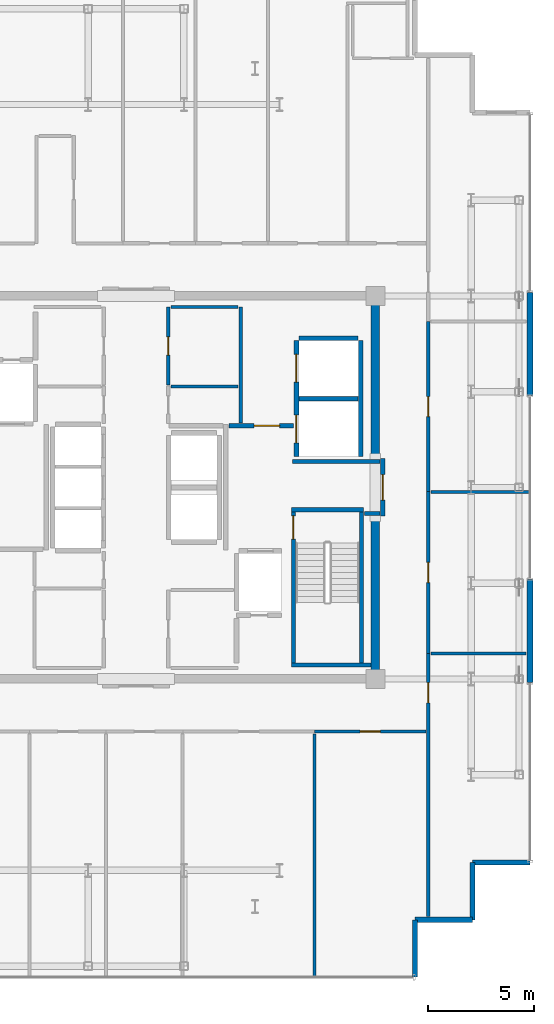
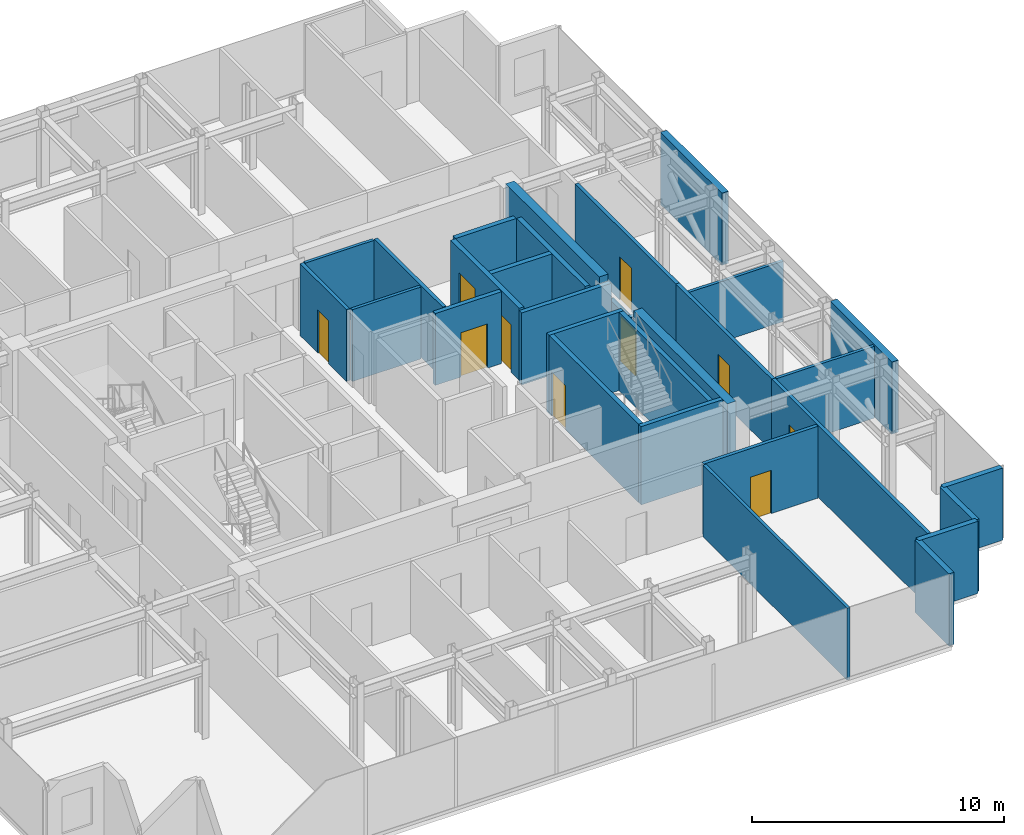
# One storey, part 13 of 16: 31 walls, 10 doors, 10 openings.
"""IFC4 building model written with IfcOpenShell, lengths in metres."""

from ifc_helpers import new_model, si_unit, direction, frame, frame_2d, origin, place, context, subcontext, project, spatial, rectangle, extrude, source, transform, mapped, material, layer, layer_set, type_object, element, fill, save


model = new_model("IFC4")

# Units and contexts
model_context = context("Model", 3, precision=1e-05, world=origin(), true_north=direction((0.0, 1.0)))
body_context = subcontext(model_context, "Body", "Model", "MODEL_VIEW")
ifc_project = project(units=[si_unit("LENGTHUNIT", "METRE"), si_unit("AREAUNIT", "SQUARE_METRE"), si_unit("VOLUMEUNIT", "CUBIC_METRE"), si_unit("PLANEANGLEUNIT", "RADIAN"), si_unit("MASSUNIT", "GRAM", prefix="KILO")], contexts=[model_context])

# Site, building, storey
site_placement = place(None, origin())
site = spatial("IfcSite", under=ifc_project, at=site_placement, CompositionType="ELEMENT")
building_placement = place(site_placement, origin())
building = spatial("IfcBuilding", under=site, at=building_placement, Name="Nefas-Gora Pilgrimage Tower", CompositionType="ELEMENT")
storey_placement = place(building_placement, frame((0.0, 0.0, 345.199951171875)))
storey = spatial("IfcBuildingStorey", under=building, at=storey_placement, Name="L87", CompositionType="ELEMENT", Elevation=345.199951171875)

# Walls
ifc_material_1 = material(Name="Concrete C50/60", Category="concrete")
ifc_layer_1 = layer(ifc_material_1, 0.39990234375)
ifc_layer_set_1 = layer_set([ifc_layer_1], Name="Concrete C50/60")
wall_type_1 = type_object("IfcWallType", Name="SW-CORE-400", PredefinedType="SHEAR", material=ifc_layer_set_1)
shared_shape_1 = source(origin(), body_context, "Body", "SweptSolid", [
    extrude(rectangle(XDim=7.449951171875, YDim=0.39990234375, at=frame_2d((3.72509765625, 0.0))), origin(), (0.0, 0.0, 1.0), 3.800048828125),
])
for number, where, z_axis, x_axis, name in (
    (1, (11.25, -8.800048828125, 0.0), (0.0, 0.0, 1.0), (0.0, 1.0, 0.0), "L87 Core Shear Wall E-South"),
    (2, (11.25, 1.35009765625, 0.0), (0.0, 0.0, 1.0), (0.0, 1.0, 0.0), "L87 Core Shear Wall E-North"),
):
    element("IfcWall", number, at=place(storey_placement, frame(where, z_axis=z_axis, x_axis=x_axis)), inside=storey, type_object=wall_type_1, Name=name, PredefinedType="SHEAR", context=body_context, shape_type="MappedRepresentation", body=[
        mapped(shared_shape_1, transform((0.0, 0.0, 0.0), x_axis=(1.0, 0.0, 0.0), y_axis=(0.0, 1.0, 0.0), z_axis=(0.0, 0.0, 1.0), scale=1.0)),
    ])
ifc_material_2 = material(Name="Precast concrete C45/55", Category="concrete")
ifc_layer_2 = layer(ifc_material_2, 0.239990234375)
ifc_layer_set_2 = layer_set([ifc_layer_2], Name="Precast concrete C45/55")
wall_type_2 = type_object("IfcWallType", Name="EW-SERR-240", PredefinedType="SHEAR", material=ifc_layer_set_2)
shared_shape_2 = source(origin(), body_context, "Body", "SweptSolid", [
    extrude(rectangle(XDim=2.699951171875, YDim=0.239990234375, at=frame_2d((1.35009765625, 0.0))), origin(), (0.0, 0.0, 1.0), 3.5),
])
for number, where, z_axis, x_axis, name in (
    (3, (13.1201171875, -23.02001953125, 0.0), (0.0, 0.0, 1.0), (0.0, 1.0, 0.0), "L87 Serrated Corner Shear Pier Wall 17"),
    (4, (13.1201171875, -20.320068359375, 0.0), (0.0, 0.0, 1.0), (1.0, 0.0, 0.0), "L87 Serrated Corner Shear Pier Wall 18"),
    (5, (15.820068359375, -20.320068359375, 0.0), (0.0, 0.0, 1.0), (0.0, 1.0, 0.0), "L87 Serrated Corner Shear Pier Wall 19"),
    (6, (15.820068359375, -17.6201171875, 0.0), (0.0, 0.0, 1.0), (1.0, 0.0, 0.0), "L87 Serrated Corner Shear Pier Wall 20"),
):
    element("IfcWall", number, at=place(storey_placement, frame(where, z_axis=z_axis, x_axis=x_axis)), inside=storey, type_object=wall_type_2, Name=name, PredefinedType="SHEAR", context=body_context, shape_type="MappedRepresentation", body=[
        mapped(shared_shape_2, transform((0.0, 0.0, 0.0), x_axis=(1.0, 0.0, 0.0), y_axis=(0.0, 1.0, 0.0), z_axis=(0.0, 0.0, 1.0), scale=1.0)),
    ])
shared_shape_3 = source(origin(), body_context, "Body", "SweptSolid", [
    extrude(rectangle(XDim=4.8798828125, YDim=0.300048828125, at=frame_2d((2.43994140625, 0.0))), origin(), (0.0, 0.0, 1.0), 3.5),
])
for number, where, z_axis, x_axis, name in (
    (7, (18.52001953125, -9.18994140625, 0.0), (0.0, 0.0, 1.0), (0.0, 1.0, 0.0), "L87 Braced-Tube Precast Shear Cladding 3"),
    (8, (18.52001953125, 4.31005859375, 0.0), (0.0, 0.0, 1.0), (0.0, 1.0, 0.0), "L87 Braced-Tube Precast Shear Cladding 4"),
):
    element("IfcWall", number, at=place(storey_placement, frame(where, z_axis=z_axis, x_axis=x_axis)), inside=storey, type_object=wall_type_2, Name=name, PredefinedType="SHEAR", context=body_context, shape_type="MappedRepresentation", body=[
        mapped(shared_shape_3, transform((0.0, 0.0, 0.0), x_axis=(1.0, 0.0, 0.0), y_axis=(0.0, 1.0, 0.0), z_axis=(0.0, 0.0, 1.0), scale=1.0)),
    ])
ifc_material_3 = material(Name="Concrete C45/55", Category="concrete")
ifc_layer_3 = layer(ifc_material_3, 0.199951171875)
ifc_layer_set_3 = layer_set([ifc_layer_3], Name="Concrete C45/55")
wall_type_3 = type_object("IfcWallType", Name="IW-STAIR-200", PredefinedType="SOLIDWALL", material=ifc_layer_set_3)
shared_shape_4 = source(origin(), body_context, "Body", "SweptSolid", [
    extrude(rectangle(XDim=3.39990234375, YDim=0.199951171875, at=frame_2d((1.699951171875, 0.0))), origin(), (0.0, 0.0, 1.0), 3.800048828125),
])
wall_1_placement = place(storey_placement, frame((7.300048828125, -1.050048828125, 0.0), z_axis=(0.0, 0.0, 1.0), x_axis=(1.0, 0.0, 0.0)))
element("IfcWall", 9, at=wall_1_placement, inside=storey, type_object=wall_type_3, Name="L87 Stairwell Shear Wall ST-02-near", PredefinedType="SOLIDWALL", context=body_context, shape_type="MappedRepresentation", body=[
    mapped(shared_shape_4, transform((0.0, 0.0, 0.0), x_axis=(1.0, 0.0, 0.0), y_axis=(0.0, 1.0, 0.0), z_axis=(0.0, 0.0, 1.0), scale=1.0)),
])

# Wall, opening, door
shared_shape_5 = source(origin(), body_context, "Body", "SweptSolid", [
    extrude(rectangle(XDim=7.10009765625, YDim=0.199951171875, at=frame_2d((3.550048828125, 0.0))), origin(), (0.0, 0.0, 1.0), 3.800048828125),
])
wall_2_placement = place(storey_placement, frame((7.39990234375, -1.14990234375, 0.0), z_axis=(0.0, 0.0, 1.0), x_axis=(0.0, -1.0, 0.0)))
wall_2 = element("IfcWall", 10, at=wall_2_placement, inside=storey, type_object=wall_type_3, Name="L87 Stairwell Shear Wall ST-02-left", PredefinedType="SOLIDWALL", context=body_context, shape_type="MappedRepresentation", body=[
    mapped(shared_shape_5, transform((0.0, 0.0, 0.0), x_axis=(1.0, 0.0, 0.0), y_axis=(0.0, 1.0, 0.0), z_axis=(0.0, 0.0, 1.0), scale=1.0)),
])
opening_1_placement = place(wall_2_placement, frame((0.179931640625, 0.0, 0.0)))
opening_1 = element("IfcOpeningElement", 11, at=opening_1_placement, cuts=wall_2, Name="Opening ID-ST1", PredefinedType="OPENING", context=body_context, shape_type="SweptSolid", body=[
    extrude(rectangle(XDim=1.10009765625, YDim=2.14990234375, at=frame_2d((0.550048828125, 1.074951171875))), frame((0.0, 0.10986328125, 0.0), z_axis=(0.0, -1.0, 0.0), x_axis=(1.0, 0.0, 0.0)), (0.0, 0.0, 1.0), 0.219970703125),
])
ifc_material_4 = material(Name="Painted galvanised steel fire stair door", Category="steel")
door_type_1 = type_object("IfcDoorType", Name="DR-INT-STAIR-1100", OperationType="NOTDEFINED", PredefinedType="DOOR", material=ifc_material_4)
shared_shape_6 = source(origin(), body_context, "Body", "SweptSolid", [
    extrude(rectangle(XDim=1.10009765625, YDim=2.14990234375, at=frame_2d((0.550048828125, 1.074951171875))), frame((0.0, 0.02490234375, 0.0), z_axis=(0.0, -1.0, 0.0), x_axis=(1.0, 0.0, 0.0)), (0.0, 0.0, 1.0), 0.050048828125),
])
door_1_placement = place(opening_1_placement, origin())
door_1 = element("IfcDoor", 12, at=door_1_placement, inside=storey, type_object=door_type_1, Name="L87 Protected Exit Stair Door ST-02", OperationType="SINGLE_SWING_RIGHT", OverallHeight=2.14990234375, OverallWidth=1.10009765625, PredefinedType="DOOR", context=body_context, shape_type="MappedRepresentation", body=[
    mapped(shared_shape_6, transform((0.0, 0.0, 0.0), x_axis=(1.0, 0.0, 0.0), y_axis=(0.0, 1.0, 0.0), z_axis=(0.0, 0.0, 1.0), scale=1.0)),
])
fill(opening_1, door_1)

# Walls
wall_3_placement = place(storey_placement, frame((10.60009765625, -1.14990234375, 0.0), z_axis=(0.0, 0.0, 1.0), x_axis=(0.0, -1.0, 0.0)))
element("IfcWall", 13, at=wall_3_placement, inside=storey, type_object=wall_type_3, Name="L87 Stairwell Shear Wall ST-02-right", PredefinedType="SOLIDWALL", context=body_context, shape_type="MappedRepresentation", body=[
    mapped(shared_shape_5, transform((0.0, 0.0, 0.0), x_axis=(1.0, 0.0, 0.0), y_axis=(0.0, 1.0, 0.0), z_axis=(0.0, 0.0, 1.0), scale=1.0)),
])
shared_shape_7 = source(origin(), body_context, "Body", "SweptSolid", [
    extrude(rectangle(XDim=3.7548828125, YDim=0.199951171875, at=frame_2d((1.87744140625, 0.0))), origin(), (0.0, 0.0, 1.0), 3.800048828125),
])
wall_4_placement = place(storey_placement, frame((7.300048828125, -8.35009765625, 0.0), z_axis=(0.0, 0.0, 1.0), x_axis=(1.0, 0.0, 0.0)))
element("IfcWall", 14, at=wall_4_placement, inside=storey, type_object=wall_type_3, Name="L87 Stairwell Shear Wall ST-02-far", PredefinedType="SOLIDWALL", context=body_context, shape_type="MappedRepresentation", body=[
    mapped(shared_shape_7, transform((0.0, 0.0, 0.0), x_axis=(1.0, 0.0, 0.0), y_axis=(0.0, 1.0, 0.0), z_axis=(0.0, 0.0, 1.0), scale=1.0)),
])

# Wall, openings, doors
ifc_material_5 = material(Name="Concrete C40/50", Category="concrete")
ifc_layer_4 = layer(ifc_material_5, 0.219970703125)
ifc_layer_set_4 = layer_set([ifc_layer_4], Name="Concrete C40/50")
wall_type_4 = type_object("IfcWallType", Name="IW-SHAFT-220", PredefinedType="SOLIDWALL", material=ifc_layer_set_4)
shared_shape_8 = source(origin(), body_context, "Body", "SweptSolid", [
    extrude(rectangle(XDim=5.449951171875, YDim=0.219970703125, at=frame_2d((2.72509765625, 0.0))), origin(), (0.0, 0.0, 1.0), 3.485107421875),
])
wall_5_placement = place(storey_placement, frame((7.5400390625, 6.89990234375, 0.0), z_axis=(0.0, 0.0, 1.0), x_axis=(0.0, -1.0, 0.0)))
wall_5 = element("IfcWall", 15, at=wall_5_placement, inside=storey, type_object=wall_type_4, Name="L87 Hoistway Wall SL-01-02-W", PredefinedType="SOLIDWALL", context=body_context, shape_type="MappedRepresentation", body=[
    mapped(shared_shape_8, transform((0.0, 0.0, 0.0), x_axis=(1.0, 0.0, 0.0), y_axis=(0.0, 1.0, 0.0), z_axis=(0.0, 0.0, 1.0), scale=1.0)),
])
opening_2_placement = place(wall_5_placement, frame((3.5, 0.0, 0.0)))
opening_2 = element("IfcOpeningElement", 16, at=opening_2_placement, cuts=wall_5, Name="Opening LD-SV", PredefinedType="OPENING", context=body_context, shape_type="SweptSolid", body=[
    extrude(rectangle(XDim=1.300048828125, YDim=2.300048828125, at=frame_2d((0.64990234375, 1.14990234375))), frame((0.0, 0.119873046875, 0.0), z_axis=(0.0, -1.0, 0.0), x_axis=(1.0, 0.0, 0.0)), (0.0, 0.0, 1.0), 0.239990234375),
])
opening_3_placement = place(wall_5_placement, frame((0.64990234375, 0.0, 0.0)))
opening_3 = element("IfcOpeningElement", 17, at=opening_3_placement, cuts=wall_5, Name="Opening LD-SV", PredefinedType="OPENING", context=body_context, shape_type="SweptSolid", body=[
    extrude(rectangle(XDim=1.300048828125, YDim=2.300048828125, at=frame_2d((0.64990234375, 1.14990234375))), frame((0.0, 0.119873046875, 0.0), z_axis=(0.0, -1.0, 0.0), x_axis=(1.0, 0.0, 0.0)), (0.0, 0.0, 1.0), 0.239990234375),
])
ifc_material_6 = material(Name="Heavy goods sliding lift landing door")
door_type_2 = type_object("IfcDoorType", Name="DR-LIFT-SERV-1300", OperationType="SLIDING_TO_RIGHT", PredefinedType="DOOR", material=ifc_material_6)
shared_shape_9 = source(origin(), body_context, "Body", "SweptSolid", [
    extrude(rectangle(XDim=1.300048828125, YDim=2.300048828125, at=frame_2d((0.64990234375, 1.14990234375))), frame((0.0, 0.02490234375, 0.0), z_axis=(0.0, -1.0, 0.0), x_axis=(1.0, 0.0, 0.0)), (0.0, 0.0, 1.0), 0.050048828125),
])
door_2_placement = place(opening_2_placement, origin())
door_2 = element("IfcDoor", 18, at=door_2_placement, inside=storey, type_object=door_type_2, Name="L87 Sliding Lift Landing Door SL-01", OperationType="SLIDING_TO_RIGHT", OverallHeight=2.300048828125, OverallWidth=1.300048828125, PredefinedType="DOOR", context=body_context, shape_type="MappedRepresentation", body=[
    mapped(shared_shape_9, transform((0.0, 0.0, 0.0), x_axis=(1.0, 0.0, 0.0), y_axis=(0.0, 1.0, 0.0), z_axis=(0.0, 0.0, 1.0), scale=1.0)),
])
fill(opening_2, door_2)
door_3_placement = place(opening_3_placement, origin())
door_3 = element("IfcDoor", 19, at=door_3_placement, inside=storey, type_object=door_type_2, Name="L87 Sliding Lift Landing Door SL-02", OperationType="SLIDING_TO_RIGHT", OverallHeight=2.300048828125, OverallWidth=1.300048828125, PredefinedType="DOOR", context=body_context, shape_type="MappedRepresentation", body=[
    mapped(shared_shape_9, transform((0.0, 0.0, 0.0), x_axis=(1.0, 0.0, 0.0), y_axis=(0.0, 1.0, 0.0), z_axis=(0.0, 0.0, 1.0), scale=1.0)),
])
fill(opening_3, door_3)

# Walls
wall_6_placement = place(storey_placement, frame((10.56005859375, 1.449951171875, 0.0), z_axis=(0.0, 0.0, 1.0), x_axis=(0.0, 1.0, 0.0)))
element("IfcWall", 20, at=wall_6_placement, inside=storey, type_object=wall_type_4, Name="L87 Hoistway Wall SL-01-02-E", PredefinedType="SOLIDWALL", context=body_context, shape_type="MappedRepresentation", body=[
    mapped(shared_shape_8, transform((0.0, 0.0, 0.0), x_axis=(1.0, 0.0, 0.0), y_axis=(0.0, 1.0, 0.0), z_axis=(0.0, 0.0, 1.0), scale=1.0)),
])
shared_shape_10 = source(origin(), body_context, "Body", "SweptSolid", [
    extrude(rectangle(XDim=2.780029296875, YDim=0.219970703125, at=frame_2d((1.39013671875, 0.0))), origin(), (0.0, 0.0, 1.0), 3.485107421875),
])
for number, where, z_axis, x_axis, name in (
    (21, (7.659912109375, 4.175048828125, 0.0), (0.0, 0.0, 1.0), (1.0, 0.0, 0.0), "L87 Hoistway Wall SL-01-02-DIV"),
    (22, (10.43994140625, 7.010009765625, 0.0), (0.0, 0.0, 1.0), (-1.0, 0.0, 0.0), "L87 Hoistway Wall SL-02-N"),
):
    element("IfcWall", number, at=place(storey_placement, frame(where, z_axis=z_axis, x_axis=x_axis)), inside=storey, type_object=wall_type_4, Name=name, PredefinedType="SOLIDWALL", context=body_context, shape_type="MappedRepresentation", body=[
        mapped(shared_shape_10, transform((0.0, 0.0, 0.0), x_axis=(1.0, 0.0, 0.0), y_axis=(0.0, 1.0, 0.0), z_axis=(0.0, 0.0, 1.0), scale=1.0)),
    ])
ifc_material_7 = material(Name="Gypsum fire-rated shaftwall")
ifc_layer_5 = layer(ifc_material_7, 0.199951171875)
ifc_layer_set_5 = layer_set([ifc_layer_5], Name="Gypsum fire-rated shaftwall")
wall_type_5 = type_object("IfcWallType", Name="IW-FFLOB-200", PredefinedType="PARTITIONING", material=ifc_layer_set_5)
shared_shape_11 = source(origin(), body_context, "Body", "SweptSolid", [
    extrude(rectangle(XDim=0.719970703125, YDim=0.199951171875, at=frame_2d((0.35986328125, 0.0))), origin(), (0.0, 0.0, 1.0), 3.485107421875),
])
wall_7_placement = place(storey_placement, frame((10.739990234375, -1.219970703125, 0.0), z_axis=(0.0, 0.0, 1.0), x_axis=(1.0, 0.0, 0.0)))
element("IfcWall", 23, at=wall_7_placement, inside=storey, type_object=wall_type_5, Name="L87 FF Lobby East Throat S Wall 15", PredefinedType="PARTITIONING", context=body_context, shape_type="MappedRepresentation", body=[
    mapped(shared_shape_11, transform((0.0, 0.0, 0.0), x_axis=(1.0, 0.0, 0.0), y_axis=(0.0, 1.0, 0.0), z_axis=(0.0, 0.0, 1.0), scale=1.0)),
])

# Wall, opening, door
shared_shape_12 = source(origin(), body_context, "Body", "SweptSolid", [
    extrude(rectangle(XDim=3.039794921875, YDim=0.199951171875, at=frame_2d((1.52001953125, 0.0))), origin(), (0.0, 0.0, 1.0), 3.485107421875),
])
wall_8_placement = place(storey_placement, frame((4.360107421875, 2.89990234375, 0.0), z_axis=(0.0, 0.0, 1.0), x_axis=(1.0, 0.0, 0.0)))
wall_8 = element("IfcWall", 24, at=wall_8_placement, inside=storey, type_object=wall_type_5, Name="L87 FF Lobby East North Wall Wall 13", PredefinedType="PARTITIONING", context=body_context, shape_type="MappedRepresentation", body=[
    mapped(shared_shape_12, transform((0.0, 0.0, 0.0), x_axis=(1.0, 0.0, 0.0), y_axis=(0.0, 1.0, 0.0), z_axis=(0.0, 0.0, 1.0), scale=1.0)),
])
opening_4_placement = place(wall_8_placement, frame((1.18994140625, 0.0, 0.0)))
opening_4 = element("IfcOpeningElement", 25, at=opening_4_placement, cuts=wall_8, Name="Opening ID-PL1", PredefinedType="OPENING", context=body_context, shape_type="SweptSolid", body=[
    extrude(rectangle(XDim=1.199951171875, YDim=2.14990234375, at=frame_2d((0.60009765625, 1.074951171875))), frame((0.0, 0.10986328125, 0.0), z_axis=(0.0, -1.0, 0.0), x_axis=(1.0, 0.0, 0.0)), (0.0, 0.0, 1.0), 0.219970703125),
])
ifc_material_8 = material(Name="Heavy-duty steel plant room fire door", Category="steel")
door_type_3 = type_object("IfcDoorType", Name="DR-INT-PLANT-1200", OperationType="NOTDEFINED", PredefinedType="DOOR", material=ifc_material_8)
shared_shape_13 = source(origin(), body_context, "Body", "SweptSolid", [
    extrude(rectangle(XDim=1.199951171875, YDim=2.14990234375, at=frame_2d((0.60009765625, 1.074951171875))), frame((0.0, 0.02490234375, 0.0), z_axis=(0.0, -1.0, 0.0), x_axis=(1.0, 0.0, 0.0)), (0.0, 0.0, 1.0), 0.050048828125),
])
door_4_placement = place(opening_4_placement, origin())
door_4 = element("IfcDoor", 26, at=door_4_placement, inside=storey, type_object=door_type_3, Name="L87 Service Lift Lobby Door Door 5", OperationType="SINGLE_SWING_RIGHT", OverallHeight=2.14990234375, OverallWidth=1.199951171875, PredefinedType="DOOR", context=body_context, shape_type="MappedRepresentation", body=[
    mapped(shared_shape_13, transform((0.0, 0.0, 0.0), x_axis=(1.0, 0.0, 0.0), y_axis=(0.0, 1.0, 0.0), z_axis=(0.0, 0.0, 1.0), scale=1.0)),
])
fill(opening_4, door_4)

# Walls
shared_shape_14 = source(origin(), body_context, "Body", "SweptSolid", [
    extrude(rectangle(XDim=4.10986328125, YDim=0.199951171875, at=frame_2d((2.054931640625, 0.0))), origin(), (0.0, 0.0, 1.0), 3.485107421875),
])
wall_9_placement = place(storey_placement, frame((7.35009765625, 1.219970703125, 0.0), z_axis=(0.0, 0.0, 1.0), x_axis=(1.0, 0.0, 0.0)))
element("IfcWall", 27, at=wall_9_placement, inside=storey, type_object=wall_type_5, Name="L87 FF Lobby East Throat N Wall 14", PredefinedType="PARTITIONING", context=body_context, shape_type="MappedRepresentation", body=[
    mapped(shared_shape_14, transform((0.0, 0.0, 0.0), x_axis=(1.0, 0.0, 0.0), y_axis=(0.0, 1.0, 0.0), z_axis=(0.0, 0.0, 1.0), scale=1.0)),
])
ifc_material_9 = material(Name="Gypsum twin-stud partition")
ifc_layer_6 = layer(ifc_material_9, 0.139892578125)
ifc_layer_set_6 = layer_set([ifc_layer_6], Name="Gypsum twin-stud partition")
wall_type_6 = type_object("IfcWallType", Name="IW-UNIT-140", PredefinedType="PARTITIONING", material=ifc_layer_set_6)
shared_shape_15 = source(origin(), body_context, "Body", "SweptSolid", [
    extrude(rectangle(XDim=3.150146484375, YDim=0.139892578125, at=frame_2d((1.5751953125, 0.0))), origin(), (0.0, 0.0, 1.0), 3.485107421875),
])
for number, where, z_axis, x_axis, name in (
    (28, (1.639892578125, 4.75, 0.0), (0.0, 0.0, 1.0), (1.0, 0.0, 0.0), "L87 Clean Blanket and Robe Store Partition Wall 28"),
    (29, (1.639892578125, 8.47998046875, 0.0), (0.0, 0.0, 1.0), (1.0, 0.0, 0.0), "L87 Amenity Supply Store Partition Wall 30"),
):
    element("IfcWall", number, at=place(storey_placement, frame(where, z_axis=z_axis, x_axis=x_axis)), inside=storey, type_object=wall_type_6, Name=name, PredefinedType="PARTITIONING", context=body_context, shape_type="MappedRepresentation", body=[
        mapped(shared_shape_15, transform((0.0, 0.0, 0.0), x_axis=(1.0, 0.0, 0.0), y_axis=(0.0, 1.0, 0.0), z_axis=(0.0, 0.0, 1.0), scale=1.0)),
    ])
ifc_material_10 = material(Name="Gypsum acoustic stud partition")
ifc_layer_7 = layer(ifc_material_10, 0.159912109375)
ifc_layer_set_7 = layer_set([ifc_layer_7], Name="Gypsum acoustic stud partition")
wall_type_7 = type_object("IfcWallType", Name="IW-CORR-160", PredefinedType="PARTITIONING", material=ifc_layer_set_7)
shared_shape_16 = source(origin(), body_context, "Body", "SweptSolid", [
    extrude(rectangle(XDim=5.449951171875, YDim=0.159912109375, at=frame_2d((2.72509765625, 0.0))), origin(), (0.0, 0.0, 1.0), 3.485107421875),
])
wall_10_placement = place(storey_placement, frame((4.919921875, 3.0400390625, 0.0), z_axis=(0.0, 0.0, 1.0), x_axis=(0.0, 1.0, 0.0)))
element("IfcWall", 30, at=wall_10_placement, inside=storey, type_object=wall_type_7, Name="L87 Service Lift Lobby West Wall Wall 18", PredefinedType="PARTITIONING", context=body_context, shape_type="MappedRepresentation", body=[
    mapped(shared_shape_16, transform((0.0, 0.0, 0.0), x_axis=(1.0, 0.0, 0.0), y_axis=(0.0, 1.0, 0.0), z_axis=(0.0, 0.0, 1.0), scale=1.0)),
])

# Wall, opening, door
shared_shape_17 = source(origin(), body_context, "Body", "SweptSolid", [
    extrude(rectangle(XDim=3.679931640625, YDim=0.159912109375, at=frame_2d((1.83984375, 0.0))), origin(), (0.0, 0.0, 1.0), 3.485107421875),
])
wall_11_placement = place(storey_placement, frame((1.52001953125, 4.81005859375, 0.0), z_axis=(0.0, 0.0, 1.0), x_axis=(0.0, 1.0, 0.0)))
wall_11 = element("IfcWall", 31, at=wall_11_placement, inside=storey, type_object=wall_type_7, Name="L87 Amenity Supply Store Wall 29", PredefinedType="PARTITIONING", context=body_context, shape_type="MappedRepresentation", body=[
    mapped(shared_shape_17, transform((0.0, 0.0, 0.0), x_axis=(1.0, 0.0, 0.0), y_axis=(0.0, 1.0, 0.0), z_axis=(0.0, 0.0, 1.0), scale=1.0)),
])
opening_5_placement = place(wall_11_placement, frame((1.4150390625, 0.0, 0.0)))
opening_5 = element("IfcOpeningElement", 32, at=opening_5_placement, cuts=wall_11, Name="Opening ID-BT1", PredefinedType="OPENING", context=body_context, shape_type="SweptSolid", body=[
    extrude(rectangle(XDim=0.85009765625, YDim=2.10009765625, at=frame_2d((0.425048828125, 1.050048828125))), frame((0.0, 0.08984375, 0.0), z_axis=(0.0, -1.0, 0.0), x_axis=(1.0, 0.0, 0.0)), (0.0, 0.0, 1.0), 0.179931640625),
])
ifc_material_11 = material(Name="Moisture-resistant fire-rated timber door", Category="wood")
door_type_4 = type_object("IfcDoorType", Name="DR-INT-BATH-850", OperationType="NOTDEFINED", PredefinedType="DOOR", material=ifc_material_11)
shared_shape_18 = source(origin(), body_context, "Body", "SweptSolid", [
    extrude(rectangle(XDim=0.85009765625, YDim=2.10009765625, at=frame_2d((0.425048828125, 1.050048828125))), frame((0.0, 0.02490234375, 0.0), z_axis=(0.0, -1.0, 0.0), x_axis=(1.0, 0.0, 0.0)), (0.0, 0.0, 1.0), 0.050048828125),
])
door_5_placement = place(opening_5_placement, origin())
door_5 = element("IfcDoor", 33, at=door_5_placement, inside=storey, type_object=door_type_4, Name="L87 Amenity Supply Store Door 12", OperationType="SINGLE_SWING_LEFT", OverallHeight=2.10009765625, OverallWidth=0.85009765625, PredefinedType="DOOR", context=body_context, shape_type="MappedRepresentation", body=[
    mapped(shared_shape_18, transform((0.0, 0.0, 0.0), x_axis=(1.0, 0.0, 0.0), y_axis=(0.0, 1.0, 0.0), z_axis=(0.0, 0.0, 1.0), scale=1.0)),
])
fill(opening_5, door_5)

shared_shape_19 = source(origin(), body_context, "Body", "SweptSolid", [
    extrude(rectangle(XDim=8.010009765625, YDim=0.159912109375, at=frame_2d((4.0048828125, 0.0))), origin(), (0.0, 0.0, 1.0), 3.485107421875),
])
wall_12_placement = place(storey_placement, frame((13.739990234375, -0.205078125, 0.0), z_axis=(0.0, 0.0, 1.0), x_axis=(0.0, 1.0, 0.0)))
wall_12 = element("IfcWall", 34, at=wall_12_placement, inside=storey, type_object=wall_type_7, Name="L87 Pilgrim Fellowship Seminar Room Partition Wall 56", PredefinedType="PARTITIONING", context=body_context, shape_type="MappedRepresentation", body=[
    mapped(shared_shape_19, transform((0.0, 0.0, 0.0), x_axis=(1.0, 0.0, 0.0), y_axis=(0.0, 1.0, 0.0), z_axis=(0.0, 0.0, 1.0), scale=1.0)),
])
opening_6_placement = place(wall_12_placement, frame((3.530029296875, 0.0, 0.0)))
opening_6 = element("IfcOpeningElement", 35, at=opening_6_placement, cuts=wall_12, Name="Opening ID-GR1", PredefinedType="OPENING", context=body_context, shape_type="SweptSolid", body=[
    extrude(rectangle(XDim=0.949951171875, YDim=2.10009765625, at=frame_2d((0.47509765625, 1.050048828125))), frame((0.0, 0.08984375, 0.0), z_axis=(0.0, -1.0, 0.0), x_axis=(1.0, 0.0, 0.0)), (0.0, 0.0, 1.0), 0.179931640625),
])
ifc_material_12 = material(Name="Solid core oak fire-rated guest entrance door")
door_type_5 = type_object("IfcDoorType", Name="DR-INT-GUEST-950", OperationType="NOTDEFINED", PredefinedType="DOOR", material=ifc_material_12)
shared_shape_20 = source(origin(), body_context, "Body", "SweptSolid", [
    extrude(rectangle(XDim=0.949951171875, YDim=2.10009765625, at=frame_2d((0.47509765625, 1.050048828125))), frame((0.0, 0.02490234375, 0.0), z_axis=(0.0, -1.0, 0.0), x_axis=(1.0, 0.0, 0.0)), (0.0, 0.0, 1.0), 0.050048828125),
])
door_6_placement = place(opening_6_placement, origin())
door_6 = element("IfcDoor", 36, at=door_6_placement, inside=storey, type_object=door_type_5, Name="L87 Pilgrim Fellowship Seminar Room Door 24", OperationType="SINGLE_SWING_LEFT", OverallHeight=2.10009765625, OverallWidth=0.949951171875, PredefinedType="DOOR", context=body_context, shape_type="MappedRepresentation", body=[
    mapped(shared_shape_20, transform((0.0, 0.0, 0.0), x_axis=(1.0, 0.0, 0.0), y_axis=(0.0, 1.0, 0.0), z_axis=(0.0, 0.0, 1.0), scale=1.0)),
])
fill(opening_6, door_6)

shared_shape_21 = source(origin(), body_context, "Body", "SweptSolid", [
    extrude(rectangle(XDim=2.7001953125, YDim=0.199951171875, at=frame_2d((1.35009765625, 0.0))), origin(), (0.0, 0.0, 1.0), 2.574951171875),
])
wall_13_placement = place(storey_placement, frame((11.60009765625, -1.35009765625, 0.0), z_axis=(0.0, 0.0, 1.0), x_axis=(0.0, 1.0, 0.0)))
wall_13 = element("IfcWall", 37, at=wall_13_placement, inside=storey, type_object=wall_type_5, Name="L87 FF Lobby East Portal Wall 10", PredefinedType="PARTITIONING", context=body_context, shape_type="MappedRepresentation", body=[
    mapped(shared_shape_21, transform((0.0, 0.0, 0.0), x_axis=(1.0, 0.0, 0.0), y_axis=(0.0, 1.0, 0.0), z_axis=(0.0, 0.0, 1.0), scale=1.0)),
])
opening_7_placement = place(wall_13_placement, frame((0.75, 0.0, 0.0)))
opening_7 = element("IfcOpeningElement", 38, at=opening_7_placement, cuts=wall_13, Name="Opening ID-FF1", PredefinedType="OPENING", context=body_context, shape_type="SweptSolid", body=[
    extrude(rectangle(XDim=1.199951171875, YDim=2.14990234375, at=frame_2d((0.60009765625, 1.074951171875))), frame((0.0, 0.10986328125, 0.0), z_axis=(0.0, -1.0, 0.0), x_axis=(1.0, 0.0, 0.0)), (0.0, 0.0, 1.0), 0.219970703125),
])
ifc_material_13 = material(Name="Smoke-sealed steel firefighting lobby door", Category="steel")
door_type_6 = type_object("IfcDoorType", Name="DR-INT-FFLOB-1200", OperationType="NOTDEFINED", PredefinedType="DOOR", material=ifc_material_13)
door_7_placement = place(opening_7_placement, origin())
door_7 = element("IfcDoor", 39, at=door_7_placement, inside=storey, type_object=door_type_6, Name="L87 FF Lobby East Portal Door 4", OperationType="SINGLE_SWING_LEFT", OverallHeight=2.14990234375, OverallWidth=1.199951171875, PredefinedType="DOOR", context=body_context, shape_type="MappedRepresentation", body=[
    mapped(shared_shape_13, transform((0.0, 0.0, 0.0), x_axis=(1.0, 0.0, 0.0), y_axis=(0.0, 1.0, 0.0), z_axis=(0.0, 0.0, 1.0), scale=1.0)),
])
fill(opening_7, door_7)

# Walls
shared_shape_22 = source(origin(), body_context, "Body", "SweptSolid", [
    extrude(rectangle(XDim=4.679931640625, YDim=0.139892578125, at=frame_2d((2.33984375, 0.0))), origin(), (0.0, 0.0, 1.0), 2.925048828125),
])
wall_14_placement = place(storey_placement, frame((13.860107421875, -0.205078125, 0.0), z_axis=(0.0, 0.0, 1.0), x_axis=(1.0, 0.0, 0.0)))
element("IfcWall", 40, at=wall_14_placement, inside=storey, type_object=wall_type_6, Name="L87 Pilgrim Fellowship Seminar Room Partition Wall 55", PredefinedType="PARTITIONING", context=body_context, shape_type="MappedRepresentation", body=[
    mapped(shared_shape_22, transform((0.0, 0.0, 0.0), x_axis=(1.0, 0.0, 0.0), y_axis=(0.0, 1.0, 0.0), z_axis=(0.0, 0.0, 1.0), scale=1.0)),
])
shared_shape_23 = source(origin(), body_context, "Body", "SweptSolid", [
    extrude(rectangle(XDim=11.449951171875, YDim=0.139892578125, at=frame_2d((5.72509765625, 0.0))), origin(), (0.0, 0.0, 1.0), 3.485107421875),
])
wall_15_placement = place(storey_placement, frame((8.39501953125, -23.0400390625, 0.0), z_axis=(0.0, 0.0, 1.0), x_axis=(0.0, 1.0, 0.0)))
element("IfcWall", 41, at=wall_15_placement, inside=storey, type_object=wall_type_6, Name="L87 Pilgrim Contemplative Lounge Partition Wall 82", PredefinedType="PARTITIONING", context=body_context, shape_type="MappedRepresentation", body=[
    mapped(shared_shape_23, transform((0.0, 0.0, 0.0), x_axis=(1.0, 0.0, 0.0), y_axis=(0.0, 1.0, 0.0), z_axis=(0.0, 0.0, 1.0), scale=1.0)),
])

# Wall, opening, door
shared_shape_24 = source(origin(), body_context, "Body", "SweptSolid", [
    extrude(rectangle(XDim=12.364990234375, YDim=0.159912109375, at=frame_2d((6.1826171875, 0.0))), origin(), (0.0, 0.0, 1.0), 3.485107421875),
])
wall_16_placement = place(storey_placement, frame((13.739990234375, -20.159912109375, 0.0), z_axis=(0.0, 0.0, 1.0), x_axis=(0.0, 1.0, 0.0)))
wall_16 = element("IfcWall", 42, at=wall_16_placement, inside=storey, type_object=wall_type_7, Name="L87 Pilgrim Tea and Beverage Pantry Partition Wall 52", PredefinedType="PARTITIONING", context=body_context, shape_type="MappedRepresentation", body=[
    mapped(shared_shape_24, transform((0.0, 0.0, 0.0), x_axis=(1.0, 0.0, 0.0), y_axis=(0.0, 1.0, 0.0), z_axis=(0.0, 0.0, 1.0), scale=1.0)),
])
opening_8_placement = place(wall_16_placement, frame((10.032470703125, 0.0, 0.0)))
opening_8 = element("IfcOpeningElement", 43, at=opening_8_placement, cuts=wall_16, Name="Opening ID-GR1", PredefinedType="OPENING", context=body_context, shape_type="SweptSolid", body=[
    extrude(rectangle(XDim=0.949951171875, YDim=2.10009765625, at=frame_2d((0.47509765625, 1.050048828125))), frame((0.0, 0.08984375, 0.0), z_axis=(0.0, -1.0, 0.0), x_axis=(1.0, 0.0, 0.0)), (0.0, 0.0, 1.0), 0.179931640625),
])
door_8_placement = place(opening_8_placement, origin())
door_8 = element("IfcDoor", 44, at=door_8_placement, inside=storey, type_object=door_type_5, Name="L87 Pilgrim Tea and Beverage Pantry Door 22", OperationType="SINGLE_SWING_LEFT", OverallHeight=2.10009765625, OverallWidth=0.949951171875, PredefinedType="DOOR", context=body_context, shape_type="MappedRepresentation", body=[
    mapped(shared_shape_20, transform((0.0, 0.0, 0.0), x_axis=(1.0, 0.0, 0.0), y_axis=(0.0, 1.0, 0.0), z_axis=(0.0, 0.0, 1.0), scale=1.0)),
])
fill(opening_8, door_8)

# Wall
shared_shape_25 = source(origin(), body_context, "Body", "SweptSolid", [
    extrude(rectangle(XDim=4.469970703125, YDim=0.139892578125, at=frame_2d((2.23486328125, 0.0))), origin(), (0.0, 0.0, 1.0), 3.485107421875),
])
wall_17_placement = place(storey_placement, frame((13.860107421875, -7.804931640625, 0.0), z_axis=(0.0, 0.0, 1.0), x_axis=(1.0, 0.0, 0.0)))
element("IfcWall", 45, at=wall_17_placement, inside=storey, type_object=wall_type_6, Name="L87 Pilgrim Tea and Beverage Pantry Partition Wall 53", PredefinedType="PARTITIONING", context=body_context, shape_type="MappedRepresentation", body=[
    mapped(shared_shape_25, transform((0.0, 0.0, 0.0), x_axis=(1.0, 0.0, 0.0), y_axis=(0.0, 1.0, 0.0), z_axis=(0.0, 0.0, 1.0), scale=1.0)),
])

# Wall, opening, door
shared_shape_26 = source(origin(), body_context, "Body", "SweptSolid", [
    extrude(rectangle(XDim=7.60986328125, YDim=0.159912109375, at=frame_2d((3.804931640625, 0.0))), origin(), (0.0, 0.0, 1.0), 3.485107421875),
])
wall_18_placement = place(storey_placement, frame((13.739990234375, -7.804931640625, 0.0), z_axis=(0.0, 0.0, 1.0), x_axis=(0.0, 1.0, 0.0)))
wall_18 = element("IfcWall", 46, at=wall_18_placement, inside=storey, type_object=wall_type_7, Name="L87 Pilgrim Fellowship Seminar Room Partition Wall 54", PredefinedType="PARTITIONING", context=body_context, shape_type="MappedRepresentation", body=[
    mapped(shared_shape_26, transform((0.0, 0.0, 0.0), x_axis=(1.0, 0.0, 0.0), y_axis=(0.0, 1.0, 0.0), z_axis=(0.0, 0.0, 1.0), scale=1.0)),
])
opening_9_placement = place(wall_18_placement, frame((3.330078125, 0.0, 0.0)))
opening_9 = element("IfcOpeningElement", 47, at=opening_9_placement, cuts=wall_18, Name="Opening ID-GR1", PredefinedType="OPENING", context=body_context, shape_type="SweptSolid", body=[
    extrude(rectangle(XDim=0.949951171875, YDim=2.10009765625, at=frame_2d((0.47509765625, 1.050048828125))), frame((0.0, 0.08984375, 0.0), z_axis=(0.0, -1.0, 0.0), x_axis=(1.0, 0.0, 0.0)), (0.0, 0.0, 1.0), 0.179931640625),
])
door_9_placement = place(opening_9_placement, origin())
door_9 = element("IfcDoor", 48, at=door_9_placement, inside=storey, type_object=door_type_5, Name="L87 Pilgrim Fellowship Seminar Room Door 23", OperationType="SINGLE_SWING_RIGHT", OverallHeight=2.10009765625, OverallWidth=0.949951171875, PredefinedType="DOOR", context=body_context, shape_type="MappedRepresentation", body=[
    mapped(shared_shape_20, transform((0.0, 0.0, 0.0), x_axis=(1.0, 0.0, 0.0), y_axis=(0.0, 1.0, 0.0), z_axis=(0.0, 0.0, 1.0), scale=1.0)),
])
fill(opening_9, door_9)

shared_shape_27 = source(origin(), body_context, "Body", "SweptSolid", [
    extrude(rectangle(XDim=5.22509765625, YDim=0.159912109375, at=frame_2d((2.612548828125, 0.0))), origin(), (0.0, 0.0, 1.0), 3.485107421875),
])
wall_19_placement = place(storey_placement, frame((8.39501953125, -11.469970703125, 0.0), z_axis=(0.0, 0.0, 1.0), x_axis=(1.0, 0.0, 0.0)))
wall_19 = element("IfcWall", 49, at=wall_19_placement, inside=storey, type_object=wall_type_7, Name="L87 Pilgrim Contemplative Lounge Partition Wall 83", PredefinedType="PARTITIONING", context=body_context, shape_type="MappedRepresentation", body=[
    mapped(shared_shape_27, transform((0.0, 0.0, 0.0), x_axis=(1.0, 0.0, 0.0), y_axis=(0.0, 1.0, 0.0), z_axis=(0.0, 0.0, 1.0), scale=1.0)),
])
opening_10_placement = place(wall_19_placement, frame((2.137451171875, 0.0, 0.0)))
opening_10 = element("IfcOpeningElement", 50, at=opening_10_placement, cuts=wall_19, Name="Opening ID-GR1", PredefinedType="OPENING", context=body_context, shape_type="SweptSolid", body=[
    extrude(rectangle(XDim=0.949951171875, YDim=2.10009765625, at=frame_2d((0.47509765625, 1.050048828125))), frame((0.0, 0.08984375, 0.0), z_axis=(0.0, -1.0, 0.0), x_axis=(1.0, 0.0, 0.0)), (0.0, 0.0, 1.0), 0.179931640625),
])
door_10_placement = place(opening_10_placement, origin())
door_10 = element("IfcDoor", 51, at=door_10_placement, inside=storey, type_object=door_type_5, Name="L87 Pilgrim Contemplative Lounge Door 37", OperationType="SINGLE_SWING_RIGHT", OverallHeight=2.10009765625, OverallWidth=0.949951171875, PredefinedType="DOOR", context=body_context, shape_type="MappedRepresentation", body=[
    mapped(shared_shape_20, transform((0.0, 0.0, 0.0), x_axis=(1.0, 0.0, 0.0), y_axis=(0.0, 1.0, 0.0), z_axis=(0.0, 0.0, 1.0), scale=1.0)),
])
fill(opening_10, door_10)

save(model, "model.ifc")
